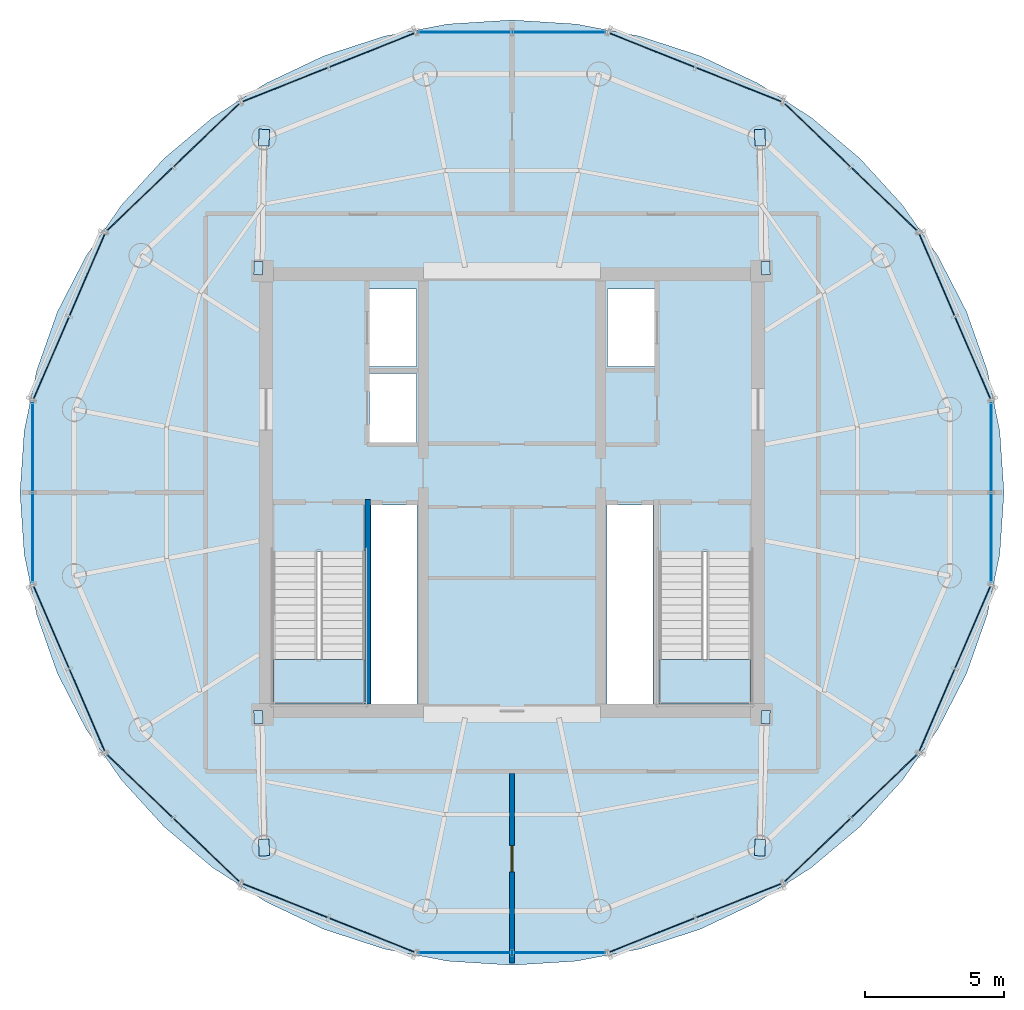
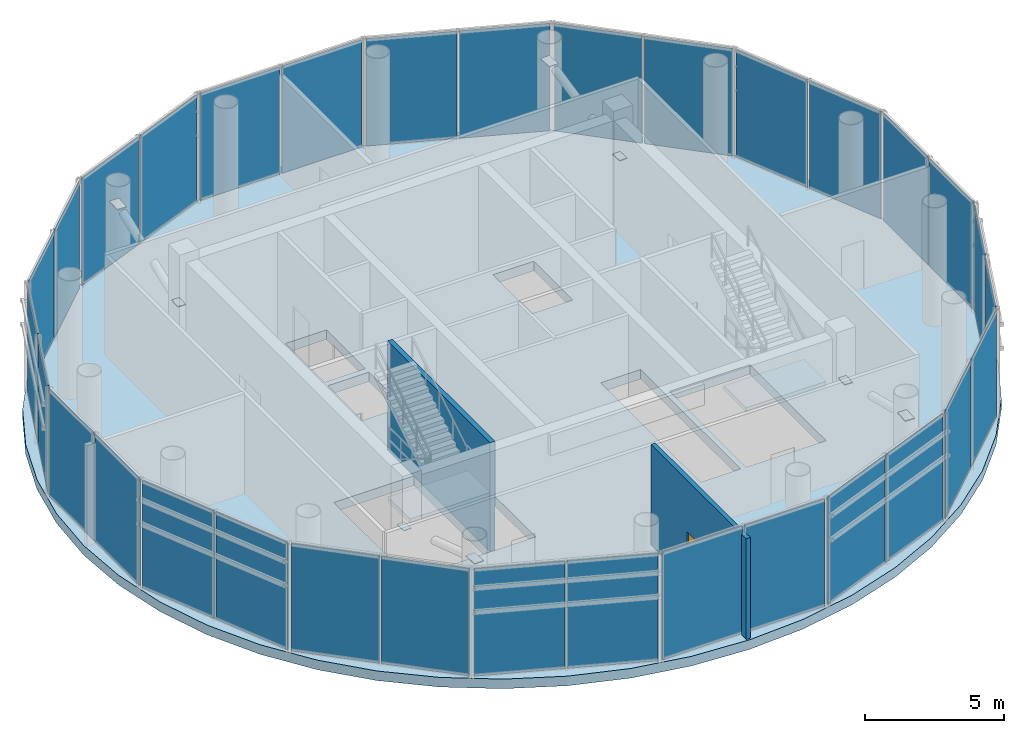
# One storey, part 11 of 15: 40 plates, 3 slabs, 2 walls, 1 door, 1 opening, 18 elements without a shape of their own.
"""IFC4 building model written with IfcOpenShell, lengths in metres."""

from ifc_helpers import new_model, si_unit, direction, frame, frame_2d, origin, origin_2d, place, context, subcontext, project, spatial, polyline, rectangle, outline, extrude, source, transform, mapped, material, layer, layer_set, type_object, element, fill, aggregate, save


model = new_model("IFC4")

# Units and contexts
model_context = context("Model", 3, precision=1e-05, world=origin(), true_north=direction((-0.2419218956, 0.970295726276)))
body_context = subcontext(model_context, "Body", "Model", "MODEL_VIEW")
ifc_project = project(units=[si_unit("LENGTHUNIT", "METRE"), si_unit("AREAUNIT", "SQUARE_METRE"), si_unit("VOLUMEUNIT", "CUBIC_METRE"), si_unit("PLANEANGLEUNIT", "RADIAN"), si_unit("MASSUNIT", "GRAM", prefix="KILO")], contexts=[model_context])

# Site, building, storey
site_placement = place(None, origin())
site = spatial("IfcSite", under=ifc_project, at=site_placement, CompositionType="ELEMENT")
building_placement = place(site_placement, origin())
building = spatial("IfcBuilding", under=site, at=building_placement, Name="Cobrevalo Terracotta Tower", CompositionType="ELEMENT")
storey_placement = place(building_placement, frame((0.0, 0.0, 311.300048828125)))
storey = spatial("IfcBuildingStorey", under=building, at=storey_placement, Name="L81", CompositionType="ELEMENT", Elevation=311.300048828125)

# Slab
ifc_material_1 = material(Name="Concrete C50", Category="concrete")
ifc_layer_1 = layer(ifc_material_1, 0.419921875)
ifc_layer_set_1 = layer_set([ifc_layer_1], Name="Concrete C50")
slab_type_1 = type_object("IfcSlabType", Name="Crown transfer mechanical deck 420 mm", PredefinedType="FLOOR", material=ifc_layer_set_1)
slab_1_placement = place(storey_placement, frame((0.0, 0.0, -0.420166015625)))
element("IfcSlab", 1, at=slab_1_placement, inside=storey, type_object=slab_type_1, Name="L81 indoor elliptical floor slab", PredefinedType="FLOOR", context=body_context, shape_type="SweptSolid", body=[
    extrude(outline(polyline([(55.59814453125, 24.574462890625), (55.145263671875, 22.38720703125), (54.39892578125, 20.275146484375), (53.3720703125, 18.27490234375), (52.08203125, 16.420654296875), (50.551025390625, 14.743896484375), (48.805419921875, 13.2734375), (46.875, 12.0341796875), (44.792724609375, 11.0478515625), (42.593994140625, 10.3310546875), (40.31689453125, 9.895751953125), (38.0, 9.75), (35.68310546875, 9.895751953125), (33.406005859375, 10.3310546875), (31.207275390625, 11.0478515625), (29.125, 12.0341796875), (27.194580078125, 13.2734375), (25.44873046875, 14.743896484375), (23.91796875, 16.420654296875), (22.6279296875, 18.27490234375), (21.60107421875, 20.275146484375), (20.854736328125, 22.38720703125), (20.40185546875, 24.574462890625), (20.25, 26.800048828125), (20.40185546875, 29.025390625), (20.854736328125, 31.212890625), (21.60107421875, 33.32470703125), (22.6279296875, 35.324951171875), (23.91796875, 37.179443359375), (25.44873046875, 38.856201171875), (27.194580078125, 40.32666015625), (29.125, 41.565673828125), (31.207275390625, 42.55224609375), (33.406005859375, 43.26904296875), (35.68310546875, 43.7041015625), (38.0, 43.85009765625), (40.31689453125, 43.7041015625), (42.593994140625, 43.26904296875), (44.792724609375, 42.55224609375), (46.875, 41.565673828125), (48.805419921875, 40.32666015625), (50.551025390625, 38.856201171875), (52.08203125, 37.179443359375), (53.3720703125, 35.324951171875), (54.39892578125, 33.32470703125), (55.145263671875, 31.212890625), (55.59814453125, 29.025390625), (55.75, 26.800048828125), (55.59814453125, 24.574462890625)]), holes=[polyline([(32.695068359375, 24.659912109375), (29.375, 24.659912109375), (29.375, 19.175048828125), (32.695068359375, 19.175048828125), (32.695068359375, 24.659912109375)]), polyline([(46.625, 19.175048828125), (46.625, 24.659912109375), (43.304931640625, 24.659912109375), (43.304931640625, 19.175048828125), (46.625, 19.175048828125)]), polyline([(34.574951171875, 26.360107421875), (32.919921875, 26.360107421875), (32.919921875, 19.175048828125), (34.574951171875, 19.175048828125), (34.574951171875, 26.360107421875)]), polyline([(43.080078125, 26.360107421875), (41.425048828125, 26.360107421875), (41.425048828125, 19.175048828125), (43.080078125, 19.175048828125), (43.080078125, 26.360107421875)]), polyline([(34.550048828125, 31.10009765625), (32.85009765625, 31.10009765625), (32.85009765625, 28.60009765625), (34.550048828125, 28.60009765625), (34.550048828125, 31.10009765625)]), polyline([(34.550048828125, 34.14990234375), (32.85009765625, 34.14990234375), (32.85009765625, 31.35009765625), (34.550048828125, 31.35009765625), (34.550048828125, 34.14990234375)]), polyline([(43.14990234375, 34.14990234375), (41.449951171875, 34.14990234375), (41.449951171875, 31.35009765625), (43.14990234375, 31.35009765625), (43.14990234375, 34.14990234375)])]), origin(), (0.0, 0.0, 1.0), 0.420166015625),
])

# Stair, slab
stair_type = type_object("IfcStairType", Name="Core protected escape dogleg stair 1600", PredefinedType="HALF_TURN_STAIR", material=ifc_material_1)
stair_1_placement = place(storey_placement, origin())
stair_1 = element("IfcStair", 2, at=stair_1_placement, inside=storey, type_object=stair_type, Name="L81 Protected exit stair ST-1", PredefinedType="HALF_TURN_STAIR")
ifc_layer_2 = layer(ifc_material_1, 0.199951171875)
ifc_layer_set_2 = layer_set([ifc_layer_2], Name="Concrete C50")
slab_type_2 = type_object("IfcSlabType", Name="Reinforced Concrete Stair Landing 200", PredefinedType="LANDING", material=ifc_layer_set_2)
slab_2_placement = place(storey_placement, frame((0.0, 0.0, 2.39990234375)))
slab_2 = element("IfcSlab", 3, at=slab_2_placement, type_object=slab_type_2, Name="ST-1 landing 1", PredefinedType="LANDING", context=body_context, shape_type="SweptSolid", body=[
    extrude(outline(polyline([(29.375, 20.780029296875), (29.375, 19.175048828125), (32.695068359375, 19.175048828125), (32.695068359375, 20.780029296875), (29.375, 20.780029296875)])), origin(), (0.0, 0.0, 1.0), 0.199951171875),
])
aggregate(stair_1, [slab_2])

stair_2_placement = place(storey_placement, origin())
stair_2 = element("IfcStair", 4, at=stair_2_placement, inside=storey, type_object=stair_type, Name="L81 Protected exit stair ST-2", PredefinedType="HALF_TURN_STAIR")
slab_3_placement = place(storey_placement, frame((0.0, 0.0, 2.39990234375)))
slab_3 = element("IfcSlab", 5, at=slab_3_placement, type_object=slab_type_2, Name="ST-2 landing 1", PredefinedType="LANDING", context=body_context, shape_type="SweptSolid", body=[
    extrude(outline(polyline([(43.304931640625, 20.780029296875), (43.304931640625, 19.175048828125), (46.625, 19.175048828125), (46.625, 20.780029296875), (43.304931640625, 20.780029296875)])), origin(), (0.0, 0.0, 1.0), 0.199951171875),
])
aggregate(stair_2, [slab_3])

# Plates
ifc_material_2 = material(Name="Steel S355", Category="steel")
ifc_layer_3 = layer(ifc_material_2, 0.02490234375)
ifc_layer_set_3 = layer_set([ifc_layer_3], Name="Steel S355")
plate_type_1 = type_object("IfcPlateType", Name="Structural Cap Plate 480x320x25 (Steel S355)", PredefinedType="USERDEFINED", material=ifc_layer_set_3)
shared_shape_1 = source(origin(), body_context, "Body", "SweptSolid", [
    extrude(rectangle(XDim=0.47998046875, YDim=0.320068359375, at=origin_2d()), origin(), (0.0, 0.0, 1.0), 0.02490234375),
])
for number, where, z_axis, x_axis, name in (
    (6, (47.14990234375, 34.89990234375, 2.737548828125), (0.0, 0.0, 1.0), (-0.043600207008, 0.99904905883, 0.0), "L81 hollow end cap plate CAP-CRN0-L81-01"),
    (7, (28.85009765625, 34.89990234375, 2.737548828125), (0.0, 0.0, 1.0), (0.043600207008, 0.99904905883, 0.0), "L81 hollow end cap plate CAP-CRN0-L81-02"),
    (8, (28.85009765625, 18.699951171875, 2.737548828125), (0.0, 0.0, 1.0), (0.043600207008, -0.99904905883, 0.0), "L81 hollow end cap plate CAP-CRN0-L81-03"),
    (9, (47.14990234375, 18.699951171875, 2.737548828125), (0.0, 0.0, 1.0), (-0.043600207008, -0.99904905883, 0.0), "L81 hollow end cap plate CAP-CRN0-L81-04"),
):
    element("IfcPlate", number, at=place(storey_placement, frame(where, z_axis=z_axis, x_axis=x_axis)), inside=storey, type_object=plate_type_1, Name=name, ObjectType="CAP PLATE", PredefinedType="USERDEFINED", context=body_context, shape_type="MappedRepresentation", body=[
        mapped(shared_shape_1, transform((0.0, 0.0, 0.0), scale=1.0)),
    ])
ifc_layer_4 = layer(ifc_material_2, 0.028076171875)
ifc_layer_set_4 = layer_set([ifc_layer_4], Name="Steel S355")
plate_type_2 = type_object("IfcPlateType", Name="Structural Gusset Plate 600x380x28 (Steel S355)", PredefinedType="SHEET", material=ifc_layer_set_4)
shared_shape_2 = source(origin(), body_context, "Body", "SweptSolid", [
    extrude(rectangle(XDim=0.60009765625, YDim=0.3798828125, at=origin_2d()), origin(), (0.0, 0.0, 1.0), 0.028076171875),
])
for number, where, z_axis, x_axis, name in (
    (10, (46.944580078125, 39.604736328125, 4.11572265625), (0.0, 0.0, 1.0), (-0.043600207008, 0.99904905883, 0.0), "L81 hollow end cap plate GUS-CRN1-L81-01"),
    (11, (29.055419921875, 39.604736328125, 4.11572265625), (0.0, 0.0, 1.0), (0.043600207008, 0.99904905883, 0.0), "L81 hollow end cap plate GUS-CRN1-L81-02"),
    (12, (29.055419921875, 13.995361328125, 4.11572265625), (0.0, 0.0, 1.0), (0.043600207008, -0.99904905883, 0.0), "L81 hollow end cap plate GUS-CRN1-L81-03"),
    (13, (46.944580078125, 13.995361328125, 4.11572265625), (0.0, 0.0, 1.0), (-0.043600207008, -0.99904905883, 0.0), "L81 hollow end cap plate GUS-CRN1-L81-04"),
):
    element("IfcPlate", number, at=place(storey_placement, frame(where, z_axis=z_axis, x_axis=x_axis)), inside=storey, type_object=plate_type_2, Name=name, PredefinedType="SHEET", context=body_context, shape_type="MappedRepresentation", body=[
        mapped(shared_shape_2, transform((0.0, 0.0, 0.0), scale=1.0)),
    ])

# Curtain wall, plates
ifc_material_3 = material(Name="Anodized aluminium", Category="aluminium")
curtain_wall_type = type_object("IfcCurtainWallType", Name="Faceted glass-point crown structural glazing system CW-CR", PredefinedType="NOTDEFINED", material=ifc_material_3)
curtain_wall_1_placement = place(storey_placement, origin())
curtain_wall_1 = element("IfcCurtainWall", 14, at=curtain_wall_1_placement, inside=storey, type_object=curtain_wall_type, Name="L81 curtain wall CW-CRN-L81-S01", PredefinedType="NOTDEFINED")
ifc_material_4 = material(Name="Structural laminated low-iron crown glass", Category="glass")
ifc_layer_5 = layer(ifc_material_4, 0.035888671875)
ifc_layer_set_5 = layer_set([ifc_layer_5], Name="Structural laminated low-iron crown glass")
plate_type_3 = type_object("IfcPlateType", Name="Crown faceted low-iron laminated glass panel 36 mm", PredefinedType="CURTAIN_PANEL", material=ifc_layer_set_5)
shared_shape_3 = source(origin(), body_context, "Body", "SweptSolid", [
    extrude(rectangle(XDim=3.203125, YDim=0.035888671875, at=origin_2d()), origin(), (0.0, 0.0, 1.0), 4.699951171875),
])
plate_1_placement = place(storey_placement, frame((54.625244140625, 31.64697265625, 0.0400390625), z_axis=(0.0, 0.0, 1.0), x_axis=(-0.396066411085, 0.91822186753, 0.0)))
plate_1 = element("IfcPlate", 15, at=plate_1_placement, type_object=plate_type_3, Name="CW-CRN-L81-S01 glazing panel B01", PredefinedType="CURTAIN_PANEL", context=body_context, shape_type="MappedRepresentation", body=[
    mapped(shared_shape_3, transform((0.0, 0.0, 0.0), scale=1.0)),
])
plate_2_placement = place(storey_placement, frame((53.324951171875, 34.66162109375, 0.0400390625), z_axis=(0.0, 0.0, 1.0), x_axis=(-0.396066411085, 0.91822186753, 0.0)))
plate_2 = element("IfcPlate", 16, at=plate_2_placement, type_object=plate_type_3, Name="CW-CRN-L81-S01 glazing panel B02", PredefinedType="CURTAIN_PANEL", context=body_context, shape_type="MappedRepresentation", body=[
    mapped(shared_shape_3, transform((0.0, 0.0, 0.0), scale=1.0)),
])
aggregate(curtain_wall_1, [plate_1, plate_2])

curtain_wall_2_placement = place(storey_placement, origin())
curtain_wall_2 = element("IfcCurtainWall", 17, at=curtain_wall_2_placement, inside=storey, type_object=curtain_wall_type, Name="L81 curtain wall CW-CRN-L81-S07", PredefinedType="NOTDEFINED")
plate_3_placement = place(storey_placement, frame((22.675048828125, 34.66162109375, 0.0400390625), z_axis=(0.0, 0.0, 1.0), x_axis=(-0.396066411085, -0.91822186753, 0.0)))
plate_3 = element("IfcPlate", 18, at=plate_3_placement, type_object=plate_type_3, Name="CW-CRN-L81-S07 glazing panel B01", PredefinedType="CURTAIN_PANEL", context=body_context, shape_type="MappedRepresentation", body=[
    mapped(shared_shape_3, transform((0.0, 0.0, 0.0), scale=1.0)),
])
plate_4_placement = place(storey_placement, frame((21.374755859375, 31.64697265625, 0.0400390625), z_axis=(0.0, 0.0, 1.0), x_axis=(-0.396066411085, -0.91822186753, 0.0)))
plate_4 = element("IfcPlate", 19, at=plate_4_placement, type_object=plate_type_3, Name="CW-CRN-L81-S07 glazing panel B02", PredefinedType="CURTAIN_PANEL", context=body_context, shape_type="MappedRepresentation", body=[
    mapped(shared_shape_3, transform((0.0, 0.0, 0.0), scale=1.0)),
])
aggregate(curtain_wall_2, [plate_3, plate_4])

curtain_wall_3_placement = place(storey_placement, origin())
curtain_wall_3 = element("IfcCurtainWall", 20, at=curtain_wall_3_placement, inside=storey, type_object=curtain_wall_type, Name="L81 curtain wall CW-CRN-L81-S09", PredefinedType="NOTDEFINED")
plate_5_placement = place(storey_placement, frame((21.374755859375, 21.953125, 0.0400390625), z_axis=(0.0, 0.0, 1.0), x_axis=(0.396066411085, -0.91822186753, 0.0)))
plate_5 = element("IfcPlate", 21, at=plate_5_placement, type_object=plate_type_3, Name="CW-CRN-L81-S09 glazing panel B01", PredefinedType="CURTAIN_PANEL", context=body_context, shape_type="MappedRepresentation", body=[
    mapped(shared_shape_3, transform((0.0, 0.0, 0.0), scale=1.0)),
])
plate_6_placement = place(storey_placement, frame((22.675048828125, 18.938232421875, 0.0400390625), z_axis=(0.0, 0.0, 1.0), x_axis=(0.396066411085, -0.91822186753, 0.0)))
plate_6 = element("IfcPlate", 22, at=plate_6_placement, type_object=plate_type_3, Name="CW-CRN-L81-S09 glazing panel B02", PredefinedType="CURTAIN_PANEL", context=body_context, shape_type="MappedRepresentation", body=[
    mapped(shared_shape_3, transform((0.0, 0.0, 0.0), scale=1.0)),
])
aggregate(curtain_wall_3, [plate_5, plate_6])

curtain_wall_4_placement = place(storey_placement, origin())
curtain_wall_4 = element("IfcCurtainWall", 23, at=curtain_wall_4_placement, inside=storey, type_object=curtain_wall_type, Name="L81 curtain wall CW-CRN-L81-S15", PredefinedType="NOTDEFINED")
plate_7_placement = place(storey_placement, frame((53.324951171875, 18.938232421875, 0.0400390625), z_axis=(0.0, 0.0, 1.0), x_axis=(0.396066411085, 0.91822186753, 0.0)))
plate_7 = element("IfcPlate", 24, at=plate_7_placement, type_object=plate_type_3, Name="CW-CRN-L81-S15 glazing panel B01", PredefinedType="CURTAIN_PANEL", context=body_context, shape_type="MappedRepresentation", body=[
    mapped(shared_shape_3, transform((0.0, 0.0, 0.0), scale=1.0)),
])
plate_8_placement = place(storey_placement, frame((54.625244140625, 21.953125, 0.0400390625), z_axis=(0.0, 0.0, 1.0), x_axis=(0.396066411085, 0.91822186753, 0.0)))
plate_8 = element("IfcPlate", 25, at=plate_8_placement, type_object=plate_type_3, Name="CW-CRN-L81-S15 glazing panel B02", PredefinedType="CURTAIN_PANEL", context=body_context, shape_type="MappedRepresentation", body=[
    mapped(shared_shape_3, transform((0.0, 0.0, 0.0), scale=1.0)),
])
aggregate(curtain_wall_4, [plate_7, plate_8])

curtain_wall_5_placement = place(storey_placement, origin())
curtain_wall_5 = element("IfcCurtainWall", 26, at=curtain_wall_5_placement, inside=storey, type_object=curtain_wall_type, Name="L81 curtain wall CW-CRN-L81-S02", PredefinedType="NOTDEFINED")
shared_shape_4 = source(origin(), body_context, "Body", "SweptSolid", [
    extrude(rectangle(XDim=3.251953125, YDim=0.035888671875, at=origin_2d()), origin(), (0.0, 0.0, 1.0), 4.699951171875),
])
plate_9_placement = place(storey_placement, frame((51.428466796875, 37.387451171875, 0.0400390625), z_axis=(0.0, 0.0, 1.0), x_axis=(-0.721280471839, 0.692643112248, 0.0)))
plate_9 = element("IfcPlate", 27, at=plate_9_placement, type_object=plate_type_3, Name="CW-CRN-L81-S02 glazing panel B01", PredefinedType="CURTAIN_PANEL", context=body_context, shape_type="MappedRepresentation", body=[
    mapped(shared_shape_4, transform((0.0, 0.0, 0.0), scale=1.0)),
])
plate_10_placement = place(storey_placement, frame((49.025146484375, 39.695068359375, 0.0400390625), z_axis=(0.0, 0.0, 1.0), x_axis=(-0.721280471839, 0.692643112248, 0.0)))
plate_10 = element("IfcPlate", 28, at=plate_10_placement, type_object=plate_type_3, Name="CW-CRN-L81-S02 glazing panel B02", PredefinedType="CURTAIN_PANEL", context=body_context, shape_type="MappedRepresentation", body=[
    mapped(shared_shape_4, transform((0.0, 0.0, 0.0), scale=1.0)),
])
aggregate(curtain_wall_5, [plate_9, plate_10])

curtain_wall_6_placement = place(storey_placement, origin())
curtain_wall_6 = element("IfcCurtainWall", 29, at=curtain_wall_6_placement, inside=storey, type_object=curtain_wall_type, Name="L81 curtain wall CW-CRN-L81-S06", PredefinedType="NOTDEFINED")
plate_11_placement = place(storey_placement, frame((26.974853515625, 39.695068359375, 0.0400390625), z_axis=(0.0, 0.0, 1.0), x_axis=(-0.721280471839, -0.692643112248, 0.0)))
plate_11 = element("IfcPlate", 30, at=plate_11_placement, type_object=plate_type_3, Name="CW-CRN-L81-S06 glazing panel B01", PredefinedType="CURTAIN_PANEL", context=body_context, shape_type="MappedRepresentation", body=[
    mapped(shared_shape_4, transform((0.0, 0.0, 0.0), scale=1.0)),
])
plate_12_placement = place(storey_placement, frame((24.571533203125, 37.387451171875, 0.0400390625), z_axis=(0.0, 0.0, 1.0), x_axis=(-0.721280471839, -0.692643112248, 0.0)))
plate_12 = element("IfcPlate", 31, at=plate_12_placement, type_object=plate_type_3, Name="CW-CRN-L81-S06 glazing panel B02", PredefinedType="CURTAIN_PANEL", context=body_context, shape_type="MappedRepresentation", body=[
    mapped(shared_shape_4, transform((0.0, 0.0, 0.0), scale=1.0)),
])
aggregate(curtain_wall_6, [plate_11, plate_12])

curtain_wall_7_placement = place(storey_placement, origin())
curtain_wall_7 = element("IfcCurtainWall", 32, at=curtain_wall_7_placement, inside=storey, type_object=curtain_wall_type, Name="L81 curtain wall CW-CRN-L81-S10", PredefinedType="NOTDEFINED")
plate_13_placement = place(storey_placement, frame((24.571533203125, 16.212646484375, 0.0400390625), z_axis=(0.0, 0.0, 1.0), x_axis=(0.721280471839, -0.692643112248, 0.0)))
plate_13 = element("IfcPlate", 33, at=plate_13_placement, type_object=plate_type_3, Name="CW-CRN-L81-S10 glazing panel B01", PredefinedType="CURTAIN_PANEL", context=body_context, shape_type="MappedRepresentation", body=[
    mapped(shared_shape_4, transform((0.0, 0.0, 0.0), scale=1.0)),
])
plate_14_placement = place(storey_placement, frame((26.974853515625, 13.90478515625, 0.0400390625), z_axis=(0.0, 0.0, 1.0), x_axis=(0.721280471839, -0.692643112248, 0.0)))
plate_14 = element("IfcPlate", 34, at=plate_14_placement, type_object=plate_type_3, Name="CW-CRN-L81-S10 glazing panel B02", PredefinedType="CURTAIN_PANEL", context=body_context, shape_type="MappedRepresentation", body=[
    mapped(shared_shape_4, transform((0.0, 0.0, 0.0), scale=1.0)),
])
aggregate(curtain_wall_7, [plate_13, plate_14])

curtain_wall_8_placement = place(storey_placement, origin())
curtain_wall_8 = element("IfcCurtainWall", 35, at=curtain_wall_8_placement, inside=storey, type_object=curtain_wall_type, Name="L81 curtain wall CW-CRN-L81-S14", PredefinedType="NOTDEFINED")
plate_15_placement = place(storey_placement, frame((49.025146484375, 13.90478515625, 0.0400390625), z_axis=(0.0, 0.0, 1.0), x_axis=(0.721280471839, 0.692643112248, 0.0)))
plate_15 = element("IfcPlate", 36, at=plate_15_placement, type_object=plate_type_3, Name="CW-CRN-L81-S14 glazing panel B01", PredefinedType="CURTAIN_PANEL", context=body_context, shape_type="MappedRepresentation", body=[
    mapped(shared_shape_4, transform((0.0, 0.0, 0.0), scale=1.0)),
])
plate_16_placement = place(storey_placement, frame((51.428466796875, 16.212646484375, 0.0400390625), z_axis=(0.0, 0.0, 1.0), x_axis=(0.721280471839, 0.692643112248, 0.0)))
plate_16 = element("IfcPlate", 37, at=plate_16_placement, type_object=plate_type_3, Name="CW-CRN-L81-S14 glazing panel B02", PredefinedType="CURTAIN_PANEL", context=body_context, shape_type="MappedRepresentation", body=[
    mapped(shared_shape_4, transform((0.0, 0.0, 0.0), scale=1.0)),
])
aggregate(curtain_wall_8, [plate_15, plate_16])

curtain_wall_9_placement = place(storey_placement, origin())
curtain_wall_9 = element("IfcCurtainWall", 38, at=curtain_wall_9_placement, inside=storey, type_object=curtain_wall_type, Name="L81 curtain wall CW-CRN-L81-S03", PredefinedType="NOTDEFINED")
shared_shape_5 = source(origin(), body_context, "Body", "SweptSolid", [
    extrude(rectangle(XDim=3.2998046875, YDim=0.035888671875, at=origin_2d()), origin(), (0.0, 0.0, 1.0), 4.699951171875),
])
plate_17_placement = place(storey_placement, frame((46.187255859375, 41.51611328125, 0.0400390625), z_axis=(0.0, 0.0, 1.0), x_axis=(-0.929190639756, 0.36960080491, 0.0)))
plate_17 = element("IfcPlate", 39, at=plate_17_placement, type_object=plate_type_3, Name="CW-CRN-L81-S03 glazing panel B01", PredefinedType="CURTAIN_PANEL", context=body_context, shape_type="MappedRepresentation", body=[
    mapped(shared_shape_5, transform((0.0, 0.0, 0.0), scale=1.0)),
])
plate_18_placement = place(storey_placement, frame((43.046875, 42.765380859375, 0.0400390625), z_axis=(0.0, 0.0, 1.0), x_axis=(-0.929190639756, 0.36960080491, 0.0)))
plate_18 = element("IfcPlate", 40, at=plate_18_placement, type_object=plate_type_3, Name="CW-CRN-L81-S03 glazing panel B02", PredefinedType="CURTAIN_PANEL", context=body_context, shape_type="MappedRepresentation", body=[
    mapped(shared_shape_5, transform((0.0, 0.0, 0.0), scale=1.0)),
])
aggregate(curtain_wall_9, [plate_17, plate_18])

curtain_wall_10_placement = place(storey_placement, origin())
curtain_wall_10 = element("IfcCurtainWall", 41, at=curtain_wall_10_placement, inside=storey, type_object=curtain_wall_type, Name="L81 curtain wall CW-CRN-L81-S05", PredefinedType="NOTDEFINED")
plate_19_placement = place(storey_placement, frame((32.953125, 42.765380859375, 0.0400390625), z_axis=(0.0, 0.0, 1.0), x_axis=(-0.929190639756, -0.36960080491, 0.0)))
plate_19 = element("IfcPlate", 42, at=plate_19_placement, type_object=plate_type_3, Name="CW-CRN-L81-S05 glazing panel B01", PredefinedType="CURTAIN_PANEL", context=body_context, shape_type="MappedRepresentation", body=[
    mapped(shared_shape_5, transform((0.0, 0.0, 0.0), scale=1.0)),
])
plate_20_placement = place(storey_placement, frame((29.812744140625, 41.51611328125, 0.0400390625), z_axis=(0.0, 0.0, 1.0), x_axis=(-0.929190639756, -0.36960080491, 0.0)))
plate_20 = element("IfcPlate", 43, at=plate_20_placement, type_object=plate_type_3, Name="CW-CRN-L81-S05 glazing panel B02", PredefinedType="CURTAIN_PANEL", context=body_context, shape_type="MappedRepresentation", body=[
    mapped(shared_shape_5, transform((0.0, 0.0, 0.0), scale=1.0)),
])
aggregate(curtain_wall_10, [plate_19, plate_20])

curtain_wall_11_placement = place(storey_placement, origin())
curtain_wall_11 = element("IfcCurtainWall", 44, at=curtain_wall_11_placement, inside=storey, type_object=curtain_wall_type, Name="L81 curtain wall CW-CRN-L81-S11", PredefinedType="NOTDEFINED")
plate_21_placement = place(storey_placement, frame((29.812744140625, 12.083740234375, 0.0400390625), z_axis=(0.0, 0.0, 1.0), x_axis=(0.929190639756, -0.36960080491, 0.0)))
plate_21 = element("IfcPlate", 45, at=plate_21_placement, type_object=plate_type_3, Name="CW-CRN-L81-S11 glazing panel B01", PredefinedType="CURTAIN_PANEL", context=body_context, shape_type="MappedRepresentation", body=[
    mapped(shared_shape_5, transform((0.0, 0.0, 0.0), scale=1.0)),
])
plate_22_placement = place(storey_placement, frame((32.953125, 10.834716796875, 0.0400390625), z_axis=(0.0, 0.0, 1.0), x_axis=(0.929190639756, -0.36960080491, 0.0)))
plate_22 = element("IfcPlate", 46, at=plate_22_placement, type_object=plate_type_3, Name="CW-CRN-L81-S11 glazing panel B02", PredefinedType="CURTAIN_PANEL", context=body_context, shape_type="MappedRepresentation", body=[
    mapped(shared_shape_5, transform((0.0, 0.0, 0.0), scale=1.0)),
])
aggregate(curtain_wall_11, [plate_21, plate_22])

curtain_wall_12_placement = place(storey_placement, origin())
curtain_wall_12 = element("IfcCurtainWall", 47, at=curtain_wall_12_placement, inside=storey, type_object=curtain_wall_type, Name="L81 curtain wall CW-CRN-L81-S13", PredefinedType="NOTDEFINED")
plate_23_placement = place(storey_placement, frame((43.046875, 10.834716796875, 0.0400390625), z_axis=(0.0, 0.0, 1.0), x_axis=(0.929190639756, 0.36960080491, 0.0)))
plate_23 = element("IfcPlate", 48, at=plate_23_placement, type_object=plate_type_3, Name="CW-CRN-L81-S13 glazing panel B01", PredefinedType="CURTAIN_PANEL", context=body_context, shape_type="MappedRepresentation", body=[
    mapped(shared_shape_5, transform((0.0, 0.0, 0.0), scale=1.0)),
])
plate_24_placement = place(storey_placement, frame((46.187255859375, 12.083740234375, 0.0400390625), z_axis=(0.0, 0.0, 1.0), x_axis=(0.929190639756, 0.36960080491, 0.0)))
plate_24 = element("IfcPlate", 49, at=plate_24_placement, type_object=plate_type_3, Name="CW-CRN-L81-S13 glazing panel B02", PredefinedType="CURTAIN_PANEL", context=body_context, shape_type="MappedRepresentation", body=[
    mapped(shared_shape_5, transform((0.0, 0.0, 0.0), scale=1.0)),
])
aggregate(curtain_wall_12, [plate_23, plate_24])

curtain_wall_13_placement = place(storey_placement, origin())
curtain_wall_13 = element("IfcCurtainWall", 50, at=curtain_wall_13_placement, inside=storey, type_object=curtain_wall_type, Name="L81 curtain wall CW-CRN-L81-S04", PredefinedType="NOTDEFINED")
shared_shape_6 = source(origin(), body_context, "Body", "SweptSolid", [
    extrude(rectangle(XDim=3.3193359375, YDim=0.035888671875, at=origin_2d()), origin(), (0.0, 0.0, 1.0), 4.699951171875),
])
plate_25_placement = place(storey_placement, frame((39.69970703125, 43.40478515625, 0.0400390625), z_axis=(0.0, 0.0, 1.0), x_axis=(-1.0, 0.0, 0.0)))
plate_25 = element("IfcPlate", 51, at=plate_25_placement, type_object=plate_type_3, Name="CW-CRN-L81-S04 glazing panel B01", PredefinedType="CURTAIN_PANEL", context=body_context, shape_type="MappedRepresentation", body=[
    mapped(shared_shape_6, transform((0.0, 0.0, 0.0), scale=1.0)),
])
plate_26_placement = place(storey_placement, frame((36.30029296875, 43.40478515625, 0.0400390625), z_axis=(0.0, 0.0, 1.0), x_axis=(-1.0, 0.0, 0.0)))
plate_26 = element("IfcPlate", 52, at=plate_26_placement, type_object=plate_type_3, Name="CW-CRN-L81-S04 glazing panel B02", PredefinedType="CURTAIN_PANEL", context=body_context, shape_type="MappedRepresentation", body=[
    mapped(shared_shape_6, transform((0.0, 0.0, 0.0), scale=1.0)),
])
aggregate(curtain_wall_13, [plate_25, plate_26])

curtain_wall_14_placement = place(storey_placement, origin())
curtain_wall_14 = element("IfcCurtainWall", 53, at=curtain_wall_14_placement, inside=storey, type_object=curtain_wall_type, Name="L81 curtain wall CW-CRN-L81-S12", PredefinedType="NOTDEFINED")
plate_27_placement = place(storey_placement, frame((36.30029296875, 10.1953125, 0.0400390625), z_axis=(0.0, 0.0, 1.0), x_axis=(1.0, 0.0, 0.0)))
plate_27 = element("IfcPlate", 54, at=plate_27_placement, type_object=plate_type_3, Name="CW-CRN-L81-S12 glazing panel B01", PredefinedType="CURTAIN_PANEL", context=body_context, shape_type="MappedRepresentation", body=[
    mapped(shared_shape_6, transform((0.0, 0.0, 0.0), scale=1.0)),
])
plate_28_placement = place(storey_placement, frame((39.69970703125, 10.1953125, 0.0400390625), z_axis=(0.0, 0.0, 1.0), x_axis=(1.0, 0.0, 0.0)))
plate_28 = element("IfcPlate", 55, at=plate_28_placement, type_object=plate_type_3, Name="CW-CRN-L81-S12 glazing panel B02", PredefinedType="CURTAIN_PANEL", context=body_context, shape_type="MappedRepresentation", body=[
    mapped(shared_shape_6, transform((0.0, 0.0, 0.0), scale=1.0)),
])
aggregate(curtain_wall_14, [plate_27, plate_28])

curtain_wall_15_placement = place(storey_placement, origin())
curtain_wall_15 = element("IfcCurtainWall", 56, at=curtain_wall_15_placement, inside=storey, type_object=curtain_wall_type, Name="L81 curtain wall CW-CRN-L81-S08", PredefinedType="NOTDEFINED")
shared_shape_7 = source(origin(), body_context, "Body", "SweptSolid", [
    extrude(rectangle(XDim=3.182861328125, YDim=0.035888671875, at=origin_2d()), origin(), (0.0, 0.0, 1.0), 4.699951171875),
])
plate_29_placement = place(storey_placement, frame((20.708740234375, 28.431396484375, 0.0400390625), z_axis=(0.0, 0.0, 1.0), x_axis=(0.0, -1.0, 0.0)))
plate_29 = element("IfcPlate", 57, at=plate_29_placement, type_object=plate_type_3, Name="CW-CRN-L81-S08 glazing panel B01", PredefinedType="CURTAIN_PANEL", context=body_context, shape_type="MappedRepresentation", body=[
    mapped(shared_shape_7, transform((0.0, 0.0, 0.0), scale=1.0)),
])
plate_30_placement = place(storey_placement, frame((20.708740234375, 25.16845703125, 0.0400390625), z_axis=(0.0, 0.0, 1.0), x_axis=(0.0, -1.0, 0.0)))
plate_30 = element("IfcPlate", 58, at=plate_30_placement, type_object=plate_type_3, Name="CW-CRN-L81-S08 glazing panel B02", PredefinedType="CURTAIN_PANEL", context=body_context, shape_type="MappedRepresentation", body=[
    mapped(shared_shape_7, transform((0.0, 0.0, 0.0), scale=1.0)),
])
aggregate(curtain_wall_15, [plate_29, plate_30])

curtain_wall_16_placement = place(storey_placement, origin())
curtain_wall_16 = element("IfcCurtainWall", 59, at=curtain_wall_16_placement, inside=storey, type_object=curtain_wall_type, Name="L81 curtain wall CW-CRN-L81-S16", PredefinedType="NOTDEFINED")
plate_31_placement = place(storey_placement, frame((55.291259765625, 25.16845703125, 0.0400390625), z_axis=(0.0, 0.0, 1.0), x_axis=(0.0, 1.0, 0.0)))
plate_31 = element("IfcPlate", 60, at=plate_31_placement, type_object=plate_type_3, Name="CW-CRN-L81-S16 glazing panel B01", PredefinedType="CURTAIN_PANEL", context=body_context, shape_type="MappedRepresentation", body=[
    mapped(shared_shape_7, transform((0.0, 0.0, 0.0), scale=1.0)),
])
plate_32_placement = place(storey_placement, frame((55.291259765625, 28.431396484375, 0.0400390625), z_axis=(0.0, 0.0, 1.0), x_axis=(0.0, 1.0, 0.0)))
plate_32 = element("IfcPlate", 61, at=plate_32_placement, type_object=plate_type_3, Name="CW-CRN-L81-S16 glazing panel B02", PredefinedType="CURTAIN_PANEL", context=body_context, shape_type="MappedRepresentation", body=[
    mapped(shared_shape_7, transform((0.0, 0.0, 0.0), scale=1.0)),
])
aggregate(curtain_wall_16, [plate_31, plate_32])

# Wall, opening, door
ifc_material_5 = material(Name="Gypsum board on steel stud", Category="steel")
ifc_layer_6 = layer(ifc_material_5, 0.179931640625)
ifc_layer_set_6 = layer_set([ifc_layer_6], Name="Gypsum board on steel stud")
wall_type_1 = type_object("IfcWallType", Name="Fire-rated shaft & lobby acoustic partition wall 180 mm", PredefinedType="PARTITIONING", material=ifc_layer_set_6)
wall_1_placement = place(storey_placement, frame((38.0, 16.6630859375, 0.0), z_axis=(0.0, 0.0, 1.0), x_axis=(0.0, -1.0, 0.0)))
wall_1 = element("IfcWall", 62, at=wall_1_placement, inside=storey, type_object=wall_type_1, Name="L81 interior partition IW-L81-CW4", PredefinedType="PARTITIONING", context=body_context, shape_type="SweptSolid", body=[
    extrude(rectangle(XDim=6.8330078125, YDim=0.179931640625, at=frame_2d((3.41650390625, 0.0))), origin(), (0.0, 0.0, 1.0), 4.410888671875),
])
opening_placement = place(wall_1_placement, frame((2.599853515625, 0.0, 0.0)))
opening = element("IfcOpeningElement", 63, at=opening_placement, cuts=wall_1, Name="Opening ID-04", PredefinedType="OPENING", context=body_context, shape_type="SweptSolid", body=[
    extrude(rectangle(XDim=0.949951171875, YDim=2.14990234375, at=frame_2d((0.47509765625, 1.074951171875))), frame((0.0, 0.10009765625, 0.0), z_axis=(0.0, -1.0, 0.0), x_axis=(1.0, 0.0, 0.0)), (0.0, 0.0, 1.0), 0.199951171875),
])
ifc_material_6 = material(Name="Galvanized fire-rated steel", Category="steel")
door_type = type_object("IfcDoorType", Name="Stair & firefighting lobby fire door 950x2150 EI 90", OperationType="NOTDEFINED", PredefinedType="DOOR", material=ifc_material_6)
shared_shape_8 = source(origin(), body_context, "Body", "SweptSolid", [
    extrude(rectangle(XDim=0.949951171875, YDim=2.14990234375, at=frame_2d((0.47509765625, 1.074951171875))), frame((0.0, 0.02490234375, 0.0), z_axis=(0.0, -1.0, 0.0), x_axis=(1.0, 0.0, 0.0)), (0.0, 0.0, 1.0), 0.050048828125),
])
door_placement = place(opening_placement, origin())
door = element("IfcDoor", 64, at=door_placement, inside=storey, type_object=door_type, Name="L81 crown plant interconnecting fire door 4", OperationType="SINGLE_SWING_LEFT", OverallHeight=2.14990234375, OverallWidth=0.949951171875, PredefinedType="DOOR", context=body_context, shape_type="MappedRepresentation", body=[
    mapped(shared_shape_8, transform((0.0, 0.0, 0.0), scale=1.0)),
])
fill(opening, door)

# Wall
ifc_layer_7 = layer(ifc_material_1, 0.199951171875)
ifc_layer_set_7 = layer_set([ifc_layer_7], Name="Concrete C50")
wall_type_2 = type_object("IfcWallType", Name="Structural core & podium stair-shaft RC wall 200 mm Concrete C50", PredefinedType="SOLIDWALL", material=ifc_layer_set_7)
wall_2_placement = place(storey_placement, frame((32.794921875, 19.175048828125, 0.0), z_axis=(0.0, 0.0, 1.0), x_axis=(0.0, 1.0, 0.0)))
element("IfcWall", 65, at=wall_2_placement, inside=storey, type_object=wall_type_2, Name="L81 ST-1 east structural shaft wall", PredefinedType="SOLIDWALL", context=body_context, shape_type="SweptSolid", body=[
    extrude(rectangle(XDim=7.375, YDim=0.199951171875, at=frame_2d((3.6875, 0.0))), origin(), (0.0, 0.0, 1.0), 4.780029296875),
])

save(model, "model.ifc")
